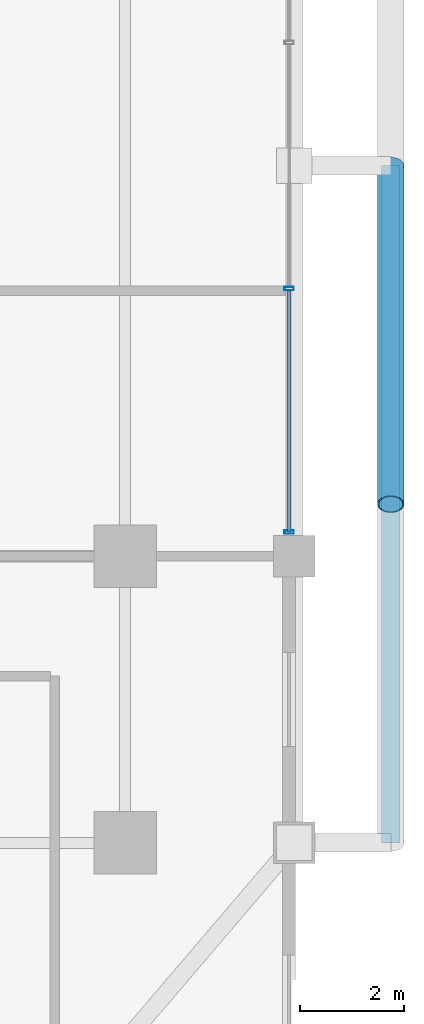
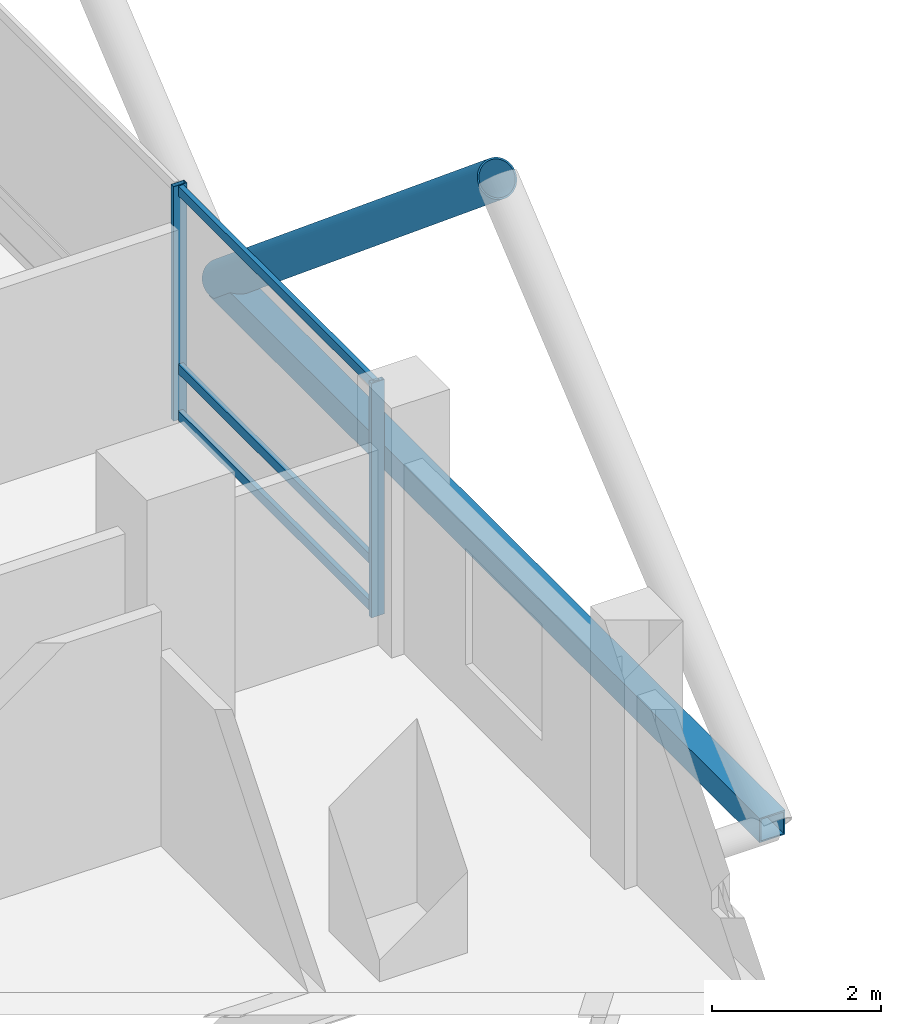
# One storey, part 9 of 25: 7 members, 1 element without a shape of its own.
"""IFC4 building model written with IfcOpenShell, lengths in metres."""

from ifc_helpers import new_model, si_unit, direction, frame, origin, origin_2d, place, context, subcontext, project, spatial, hollow_rectangle, hollow_circle, extrude, material, layer, layer_set, material_profile, profile_set, type_object, element, aggregate, save


model = new_model("IFC4")

# Units and contexts
model_context = context("Model", 3, precision=1e-05, world=origin(), true_north=direction((0.0, 1.0)))
body_context = subcontext(model_context, "Body", "Model", "MODEL_VIEW")
ifc_project = project(units=[si_unit("LENGTHUNIT", "METRE"), si_unit("AREAUNIT", "SQUARE_METRE"), si_unit("VOLUMEUNIT", "CUBIC_METRE"), si_unit("PLANEANGLEUNIT", "RADIAN"), si_unit("MASSUNIT", "GRAM", prefix="KILO")], contexts=[model_context])

# Site, building, storey
site_placement = place(None, origin())
site = spatial("IfcSite", under=ifc_project, at=site_placement, CompositionType="ELEMENT")
building_placement = place(site_placement, origin())
building = spatial("IfcBuilding", under=site, at=building_placement, Name="Barlavira Tower and Art Museum", CompositionType="ELEMENT")
storey_placement = place(building_placement, frame((0.0, 0.0, 133.199951171875)))
storey = spatial("IfcBuildingStorey", under=building, at=storey_placement, Name="L33", CompositionType="ELEMENT", Elevation=133.199951171875)

# Curtain wall, members
ifc_material_1 = material(Name="Low-iron coastal laminated glass", Category="glass")
ifc_layer = layer(ifc_material_1, 0.18994140625, Name="Low-iron coastal laminated glass")
ifc_layer_set = layer_set([ifc_layer], Name="Low-iron coastal laminated glass")
curtain_wall_type = type_object("IfcCurtainWallType", Name="Pale-Metal Unitised Curtain Wall Zone 2", PredefinedType="NOTDEFINED", material=ifc_layer_set)
curtain_wall_placement = place(storey_placement, origin())
curtain_wall = element("IfcCurtainWall", 1, at=curtain_wall_placement, inside=storey, type_object=curtain_wall_type, Name="L33 Curtain Wall CW2-L33-E-B3", PredefinedType="NOTDEFINED")
ifc_material_2 = material(Name="Pale anodised aluminium", Category="aluminium")
ifc_material_profile_1 = material_profile(ifc_material_2, hollow_rectangle(XDim=0.06494140625, YDim=0.179931640625, WallThickness=0.00390625, at=origin_2d()), Name="ALU-MULL 65x180x4")
ifc_profile_set_1 = profile_set([ifc_material_profile_1], Name="Pale anodised aluminium")
member_type_1 = type_object("IfcMemberType", Name="Curtain Wall Pale-Metal Mullion 65x180", PredefinedType="MULLION", material=ifc_profile_set_1)
member_1_placement = place(storey_placement, frame((20.14990234375, -7.034912109375, 0.0), z_axis=(0.0, 0.0, 1.0), x_axis=(0.0, 1.0, 0.0)))
member_1 = element("IfcMember", 2, at=member_1_placement, type_object=member_type_1, Name="CW2-L33-E-B3 Mullion 0", PredefinedType="MULLION", context=body_context, shape_type="SweptSolid", body=[
    extrude(hollow_rectangle(XDim=0.06494140625, YDim=0.179931640625, WallThickness=0.00390625, at=origin_2d()), origin(), (0.0, 0.0, 1.0), 3.380126953125),
])
member_2_placement = place(storey_placement, frame((20.14990234375, -2.360107421875, 0.0), z_axis=(0.0, 0.0, 1.0), x_axis=(0.0, 1.0, 0.0)))
member_2 = element("IfcMember", 3, at=member_2_placement, type_object=member_type_1, Name="CW2-L33-E-B3 Mullion 1", PredefinedType="MULLION", context=body_context, shape_type="SweptSolid", body=[
    extrude(hollow_rectangle(XDim=0.06494140625, YDim=0.179931640625, WallThickness=0.00390625, at=origin_2d()), origin(), (0.0, 0.0, 1.0), 3.380126953125),
])
ifc_material_profile_2 = material_profile(ifc_material_2, hollow_rectangle(XDim=0.06494140625, YDim=0.139892578125, WallThickness=0.00390625, at=origin_2d()), Name="ALU-TRAN 65x140x4")
ifc_profile_set_2 = profile_set([ifc_material_profile_2], Name="Pale anodised aluminium")
member_type_2 = type_object("IfcMemberType", Name="Curtain Wall Pale-Metal Transom 65x140", PredefinedType="USERDEFINED", material=ifc_profile_set_2)
member_3_placement = place(storey_placement, frame((20.14990234375, -7.034912109375, 0.070068359375), z_axis=(0.0, 1.0, 0.0), x_axis=(-1.0, 0.0, 0.0)))
member_3 = element("IfcMember", 4, at=member_3_placement, type_object=member_type_2, Name="CW2-L33-E-B3 Transom 0.1", ObjectType="TRANSOM", PredefinedType="USERDEFINED", context=body_context, shape_type="SweptSolid", body=[
    extrude(hollow_rectangle(XDim=0.06494140625, YDim=0.139892578125, WallThickness=0.00390625, at=origin_2d()), origin(), (0.0, 0.0, 1.0), 4.6298828125),
])
member_4_placement = place(storey_placement, frame((20.14990234375, -7.034912109375, 0.744140625), z_axis=(0.0, 1.0, 0.0), x_axis=(-1.0, 0.0, 0.0)))
member_4 = element("IfcMember", 5, at=member_4_placement, type_object=member_type_2, Name="CW2-L33-E-B3 Transom 0.2", ObjectType="TRANSOM", PredefinedType="USERDEFINED", context=body_context, shape_type="SweptSolid", body=[
    extrude(hollow_rectangle(XDim=0.06494140625, YDim=0.139892578125, WallThickness=0.00390625, at=origin_2d()), origin(), (0.0, 0.0, 1.0), 4.6298828125),
])
member_5_placement = place(storey_placement, frame((20.14990234375, -7.034912109375, 3.31005859375), z_axis=(0.0, 1.0, 0.0), x_axis=(-1.0, 0.0, 0.0)))
member_5 = element("IfcMember", 6, at=member_5_placement, type_object=member_type_2, Name="CW2-L33-E-B3 Transom 0.3", ObjectType="TRANSOM", PredefinedType="USERDEFINED", context=body_context, shape_type="SweptSolid", body=[
    extrude(hollow_rectangle(XDim=0.06494140625, YDim=0.139892578125, WallThickness=0.00390625, at=origin_2d()), origin(), (0.0, 0.0, 1.0), 4.6298828125),
])
aggregate(curtain_wall, [member_1, member_2, member_3, member_4, member_5])

# Members
ifc_material_3 = material(Name="Steel S355", Category="steel")
ifc_material_profile_3 = material_profile(ifc_material_3, hollow_circle(Radius=0.25390625, WallThickness=0.022216796875, at=origin_2d()), Name="CHS 508.0x22.2")
ifc_profile_set_3 = profile_set([ifc_material_profile_3], Name="Steel S355")
member_type_3 = type_object("IfcMemberType", Name="Pale-Metal Exoskeleton Diagrid Tube CHS 508x22 Steel S355", PredefinedType="BRACE", material=ifc_profile_set_3)
member_6_placement = place(storey_placement, frame((22.10009765625, 0.0, -0.119873046875), z_axis=(0.0, -0.769196053329, 0.639012857104), x_axis=(1.0, 0.0, 0.0)))
element("IfcMember", 7, at=member_6_placement, inside=storey, type_object=member_type_3, Name="L33 Exoskeleton Diagrid Tube E", PredefinedType="BRACE", context=body_context, shape_type="SweptSolid", body=[
    extrude(hollow_circle(Radius=0.25390625, WallThickness=0.022216796875, at=origin_2d()), origin(), (0.0, 0.0, 1.0), 8.450439453125),
])
ifc_material_profile_4 = material_profile(ifc_material_3, hollow_rectangle(XDim=0.35009765625, YDim=0.35009765625, WallThickness=0.02001953125, at=origin_2d()), Name="SHS 350x350x20.0")
ifc_profile_set_4 = profile_set([ifc_material_profile_4], Name="Steel S355")
member_type_4 = type_object("IfcMemberType", Name="Pale-Metal Exoskeleton Ring Strut SHS 350x350x20 Steel S355", PredefinedType="STRUT", material=ifc_profile_set_4)
member_7_placement = place(storey_placement, frame((22.10009765625, -13.0, -0.119873046875), z_axis=(0.0, 1.0, 0.0), x_axis=(-1.0, 0.0, 0.0)))
element("IfcMember", 8, at=member_7_placement, inside=storey, type_object=member_type_4, Name="L33 Exoskeleton Ring Strut E", PredefinedType="STRUT", context=body_context, shape_type="SweptSolid", body=[
    extrude(hollow_rectangle(XDim=0.35009765625, YDim=0.35009765625, WallThickness=0.02001953125, at=origin_2d()), origin(), (0.0, 0.0, 1.0), 13.0),
])

save(model, "model.ifc")
